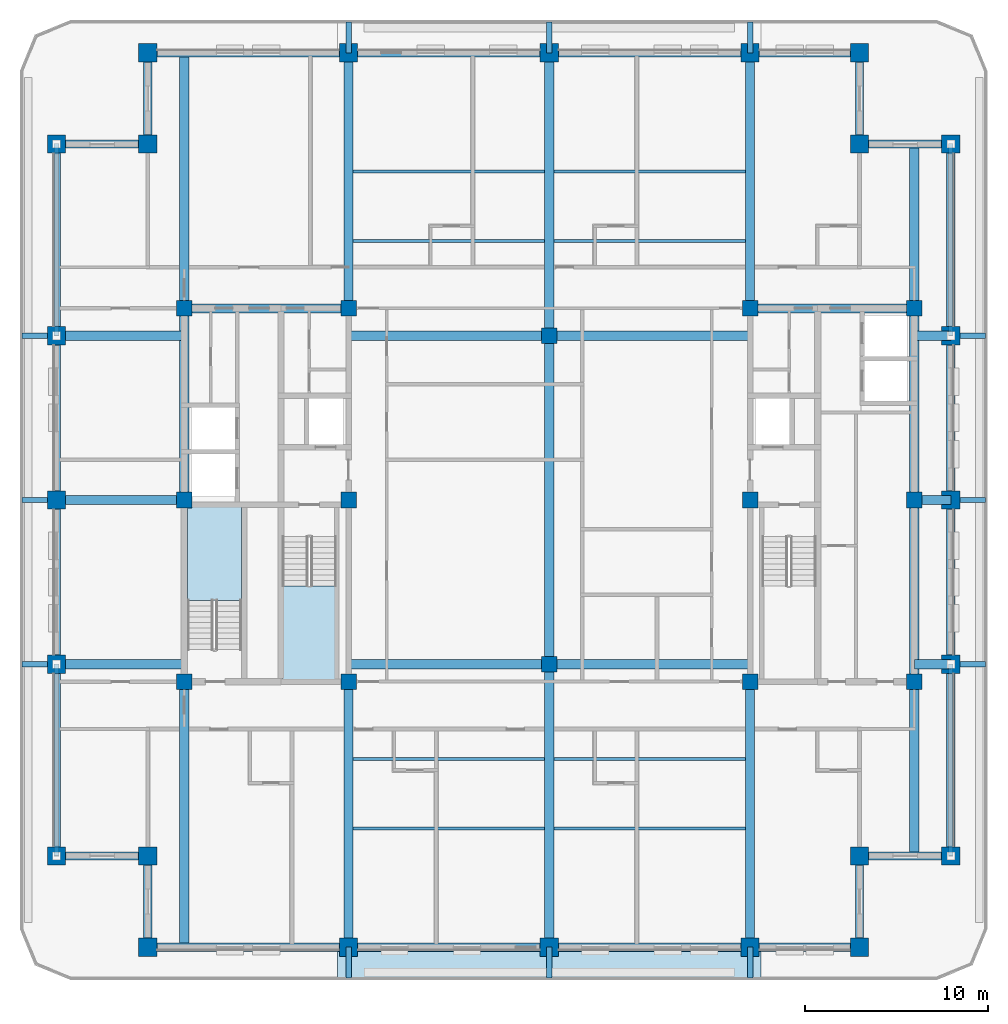
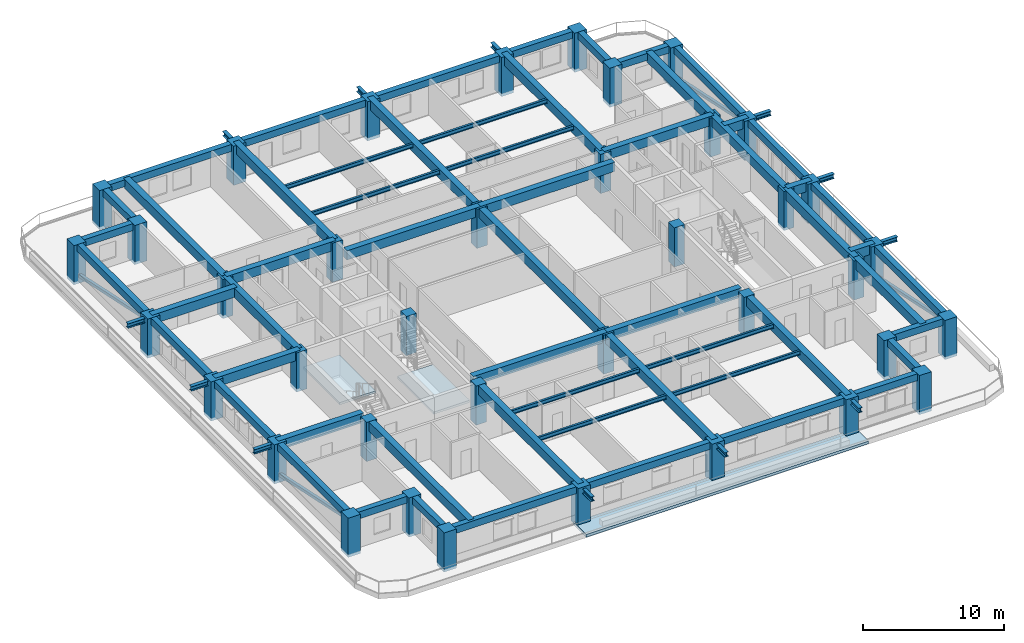
# One storey, part 1 of 14: 70 beams, 38 columns, 4 members, 3 slabs, 2 elements without a shape of their own.
"""IFC4 building model written with IfcOpenShell, lengths in metres."""

from ifc_helpers import new_model, si_unit, direction, frame, origin, origin_2d, place, context, subcontext, project, spatial, polyline, rectangle, hollow_rectangle, i_section, outline, extrude, material, layer, layer_set, material_profile, profile_set, type_object, element, aggregate, save


model = new_model("IFC4")

# Units and contexts
model_context = context("Model", 3, precision=1e-05, world=origin(), true_north=direction((0.0, 1.0)))
body_context = subcontext(model_context, "Body", "Model", "MODEL_VIEW")
ifc_project = project(units=[si_unit("LENGTHUNIT", "METRE"), si_unit("AREAUNIT", "SQUARE_METRE"), si_unit("VOLUMEUNIT", "CUBIC_METRE"), si_unit("PLANEANGLEUNIT", "RADIAN"), si_unit("MASSUNIT", "GRAM", prefix="KILO")], contexts=[model_context])

# Site, building, storey
site_placement = place(None, origin())
site = spatial("IfcSite", under=ifc_project, at=site_placement, CompositionType="ELEMENT")
building_placement = place(site_placement, origin())
building = spatial("IfcBuilding", under=site, at=building_placement, Name="Zulmaris Gate Convention Tower", CompositionType="ELEMENT")
storey_placement = place(building_placement, frame((0.0, 0.0, 205.06005859375)))
storey = spatial("IfcBuildingStorey", under=building, at=storey_placement, Name="L53", CompositionType="ELEMENT", Elevation=205.06005859375)

# Columns
ifc_material_1 = material(Name="Concrete C60/75", Category="concrete")
ifc_material_profile_1 = material_profile(ifc_material_1, rectangle(XDim=1.0, YDim=1.0, at=origin_2d()), Name="RC COL 1000x1000")
ifc_profile_set_1 = profile_set([ifc_material_profile_1], Name="Concrete C60/75")
column_type_1 = type_object("IfcColumnType", Name="COL-RC1000", PredefinedType="COLUMN", material=ifc_profile_set_1)
for number, where, z_axis, x_axis, name in (
    (1, (-22.0, -24.5, -0.25), (0.0, 0.0, 1.0), (1.0, 0.0, 0.0), "L53 Column PT--22.00_-24.50"),
    (2, (-11.0, -24.5, -0.25), (0.0, 0.0, 1.0), (1.0, 0.0, 0.0), "L53 Column PT--11.00_-24.50"),
    (3, (0.0, -24.5, -0.25), (0.0, 0.0, 1.0), (1.0, 0.0, 0.0), "L53 Column PT-+0.00_-24.50"),
    (4, (11.0, -24.5, -0.25), (0.0, 0.0, 1.0), (1.0, 0.0, 0.0), "L53 Column PT-+11.00_-24.50"),
    (5, (17.0, -24.5, -0.25), (0.0, 0.0, 1.0), (1.0, 0.0, 0.0), "L53 Column PT-+17.00_-24.50"),
    (6, (-22.0, 24.5, -0.25), (0.0, 0.0, 1.0), (1.0, 0.0, 0.0), "L53 Column PT--22.00_+24.50"),
    (7, (-11.0, 24.5, -0.25), (0.0, 0.0, 1.0), (1.0, 0.0, 0.0), "L53 Column PT--11.00_+24.50"),
    (8, (0.0, 24.5, -0.25), (0.0, 0.0, 1.0), (1.0, 0.0, 0.0), "L53 Column PT-+0.00_+24.50"),
    (9, (11.0, 24.5, -0.25), (0.0, 0.0, 1.0), (1.0, 0.0, 0.0), "L53 Column PT-+11.00_+24.50"),
    (10, (17.0, 24.5, -0.25), (0.0, 0.0, 1.0), (1.0, 0.0, 0.0), "L53 Column PT-+17.00_+24.50"),
    (11, (-27.0, -19.5, -0.25), (0.0, 0.0, 1.0), (1.0, 0.0, 0.0), "L53 Column PT--27.00_-19.50"),
    (12, (-27.0, -9.0, -0.25), (0.0, 0.0, 1.0), (1.0, 0.0, 0.0), "L53 Column PT--27.00_-9.00"),
    (13, (-27.0, 0.0, -0.25), (0.0, 0.0, 1.0), (1.0, 0.0, 0.0), "L53 Column PT--27.00_+0.00"),
    (14, (-27.0, 9.0, -0.25), (0.0, 0.0, 1.0), (1.0, 0.0, 0.0), "L53 Column PT--27.00_+9.00"),
    (15, (-27.0, 19.5, -0.25), (0.0, 0.0, 1.0), (1.0, 0.0, 0.0), "L53 Column PT--27.00_+19.50"),
    (16, (22.0, -19.5, -0.25), (0.0, 0.0, 1.0), (1.0, 0.0, 0.0), "L53 Column PT-+22.00_-19.50"),
    (17, (22.0, -9.0, -0.25), (0.0, 0.0, 1.0), (1.0, 0.0, 0.0), "L53 Column PT-+22.00_-9.00"),
    (18, (22.0, 0.0, -0.25), (0.0, 0.0, 1.0), (1.0, 0.0, 0.0), "L53 Column PT-+22.00_+0.00"),
    (19, (22.0, 9.0, -0.25), (0.0, 0.0, 1.0), (1.0, 0.0, 0.0), "L53 Column PT-+22.00_+9.00"),
    (20, (22.0, 19.5, -0.25), (0.0, 0.0, 1.0), (1.0, 0.0, 0.0), "L53 Column PT-+22.00_+19.50"),
    (21, (-22.0, -19.5, -0.25), (0.0, 0.0, 1.0), (1.0, 0.0, 0.0), "L53 Column PT--22.00_-19.50"),
    (22, (17.0, -19.5, -0.25), (0.0, 0.0, 1.0), (1.0, 0.0, 0.0), "L53 Column PT-+17.00_-19.50"),
    (23, (17.0, 19.5, -0.25), (0.0, 0.0, 1.0), (1.0, 0.0, 0.0), "L53 Column PT-+17.00_+19.50"),
    (24, (-22.0, 19.5, -0.25), (0.0, 0.0, 1.0), (1.0, 0.0, 0.0), "L53 Column PT--22.00_+19.50"),
):
    element("IfcColumn", number, at=place(storey_placement, frame(where, z_axis=z_axis, x_axis=x_axis)), inside=storey, type_object=column_type_1, Name=name, PredefinedType="COLUMN", context=body_context, shape_type="SweptSolid", body=[
        extrude(rectangle(XDim=1.0, YDim=1.0, at=origin_2d()), origin(), (0.0, 0.0, 1.0), 3.39990234375),
    ])
ifc_material_profile_2 = material_profile(ifc_material_1, rectangle(XDim=0.85009765625, YDim=0.85009765625, at=origin_2d()), Name="RC COL 850x850")
ifc_profile_set_2 = profile_set([ifc_material_profile_2], Name="Concrete C60/75")
column_type_2 = type_object("IfcColumnType", Name="COL-RC850", PredefinedType="COLUMN", material=ifc_profile_set_2)
for number, where, z_axis, x_axis, name in (
    (25, (-20.0, -9.949951171875, -0.25), (0.0, 0.0, 1.0), (1.0, 0.0, 0.0), "L53 Column IN--20.00_-9.95"),
    (26, (-20.0, 10.5, -0.25), (0.0, 0.0, 1.0), (1.0, 0.0, 0.0), "L53 Column IN--20.00_+10.50"),
    (27, (-11.0, -9.949951171875, -0.25), (0.0, 0.0, 1.0), (1.0, 0.0, 0.0), "L53 Column IN--11.00_-9.95"),
    (28, (-11.0, 0.0, -0.25), (0.0, 0.0, 1.0), (1.0, 0.0, 0.0), "L53 Column IN--11.00_+0.00"),
    (29, (-11.0, 10.5, -0.25), (0.0, 0.0, 1.0), (1.0, 0.0, 0.0), "L53 Column IN--11.00_+10.50"),
    (30, (11.0, -9.949951171875, -0.25), (0.0, 0.0, 1.0), (1.0, 0.0, 0.0), "L53 Column IN-+11.00_-9.95"),
    (31, (11.0, 0.0, -0.25), (0.0, 0.0, 1.0), (1.0, 0.0, 0.0), "L53 Column IN-+11.00_+0.00"),
    (32, (11.0, 10.5, -0.25), (0.0, 0.0, 1.0), (1.0, 0.0, 0.0), "L53 Column IN-+11.00_+10.50"),
    (33, (20.0, -9.949951171875, -0.25), (0.0, 0.0, 1.0), (1.0, 0.0, 0.0), "L53 Column IN-+20.00_-9.95"),
    (34, (20.0, 10.5, -0.25), (0.0, 0.0, 1.0), (1.0, 0.0, 0.0), "L53 Column IN-+20.00_+10.50"),
    (35, (0.0, -9.0, -0.25), (0.0, 0.0, 1.0), (1.0, 0.0, 0.0), "L53 Column IN-+0.00_-9.00"),
    (36, (0.0, 9.0, -0.25), (0.0, 0.0, 1.0), (1.0, 0.0, 0.0), "L53 Column IN-+0.00_+9.00"),
    (37, (-20.0, 0.0, -0.25), (0.0, 0.0, 1.0), (1.0, 0.0, 0.0), "L53 Column IN--20.00_+0.00"),
    (38, (20.0, 0.0, -0.25), (0.0, 0.0, 1.0), (1.0, 0.0, 0.0), "L53 Column IN-+20.00_+0.00"),
):
    element("IfcColumn", number, at=place(storey_placement, frame(where, z_axis=z_axis, x_axis=x_axis)), inside=storey, type_object=column_type_2, Name=name, PredefinedType="COLUMN", context=body_context, shape_type="SweptSolid", body=[
        extrude(rectangle(XDim=0.85009765625, YDim=0.85009765625, at=origin_2d()), origin(), (0.0, 0.0, 1.0), 3.39990234375),
    ])

# Beams
ifc_material_2 = material(Name="Steel S355", Category="steel")
ifc_material_profile_3 = material_profile(ifc_material_2, i_section(OverallWidth=0.300048828125, OverallDepth=0.39990234375, WebThickness=0.013427734375, FlangeThickness=0.02392578125, FilletRadius=0.027099609375, at=origin_2d()), Name="HEB 400")
ifc_profile_set_3 = profile_set([ifc_material_profile_3], Name="Steel S355")
beam_type_1 = type_object("IfcBeamType", Name="BM-HEB400", PredefinedType="BEAM", material=ifc_profile_set_3)
for number, where, z_axis, x_axis, name in (
    (39, (-11.0, -26.199951171875, 2.81005859375), (0.0, 1.0, 0.0), (-1.0, 0.0, 0.0), "L53 Beam TBRK-L53-S--11"),
    (40, (-11.0, 24.5, 2.81005859375), (0.0, 1.0, 0.0), (-1.0, 0.0, 0.0), "L53 Beam TBRK-L53-N--11"),
    (41, (0.0, -26.199951171875, 2.81005859375), (0.0, 1.0, 0.0), (-1.0, 0.0, 0.0), "L53 Beam TBRK-L53-S-+0"),
    (42, (0.0, 24.5, 2.81005859375), (0.0, 1.0, 0.0), (-1.0, 0.0, 0.0), "L53 Beam TBRK-L53-N-+0"),
    (43, (11.0, -26.199951171875, 2.81005859375), (0.0, 1.0, 0.0), (-1.0, 0.0, 0.0), "L53 Beam TBRK-L53-S-+11"),
    (44, (11.0, 24.5, 2.81005859375), (0.0, 1.0, 0.0), (-1.0, 0.0, 0.0), "L53 Beam TBRK-L53-N-+11"),
):
    element("IfcBeam", number, at=place(storey_placement, frame(where, z_axis=z_axis, x_axis=x_axis)), inside=storey, type_object=beam_type_1, Name=name, PredefinedType="BEAM", context=body_context, shape_type="SweptSolid", body=[
        extrude(i_section(OverallWidth=0.300048828125, OverallDepth=0.39990234375, WebThickness=0.013427734375, FlangeThickness=0.02392578125, FilletRadius=0.027099609375, at=origin_2d()), origin(), (0.0, 0.0, 1.0), 1.699951171875),
    ])
for number, where, z_axis, x_axis, name in (
    (45, (-28.89990234375, -9.0, 2.81005859375), (1.0, 0.0, 0.0), (0.0, 1.0, 0.0), "L53 Beam TBRK-L53-W--9"),
    (46, (22.0, -9.0, 2.81005859375), (1.0, 0.0, 0.0), (0.0, 1.0, 0.0), "L53 Beam TBRK-L53-E--9"),
    (47, (-28.89990234375, 0.0, 2.81005859375), (1.0, 0.0, 0.0), (0.0, 1.0, 0.0), "L53 Beam TBRK-L53-W-+0"),
    (48, (22.0, 0.0, 2.81005859375), (1.0, 0.0, 0.0), (0.0, 1.0, 0.0), "L53 Beam TBRK-L53-E-+0"),
    (49, (-28.89990234375, 9.0, 2.81005859375), (1.0, 0.0, 0.0), (0.0, 1.0, 0.0), "L53 Beam TBRK-L53-W-+9"),
    (50, (22.0, 9.0, 2.81005859375), (1.0, 0.0, 0.0), (0.0, 1.0, 0.0), "L53 Beam TBRK-L53-E-+9"),
):
    element("IfcBeam", number, at=place(storey_placement, frame(where, z_axis=z_axis, x_axis=x_axis)), inside=storey, type_object=beam_type_1, Name=name, PredefinedType="BEAM", context=body_context, shape_type="SweptSolid", body=[
        extrude(i_section(OverallWidth=0.300048828125, OverallDepth=0.39990234375, WebThickness=0.013427734375, FlangeThickness=0.02392578125, FilletRadius=0.027099609375, at=origin_2d()), origin(), (0.0, 0.0, 1.0), 1.89990234375),
    ])
ifc_material_3 = material(Name="Concrete C50/60", Category="concrete")
ifc_material_profile_4 = material_profile(ifc_material_3, rectangle(XDim=0.5, YDim=0.800048828125, at=origin_2d()), Name="RC BEAM 500x800")
ifc_profile_set_4 = profile_set([ifc_material_profile_4], Name="Concrete C50/60")
beam_type_2 = type_object("IfcBeamType", Name="BM-RC500x800", PredefinedType="BEAM", material=ifc_profile_set_4)
for number, where, z_axis, x_axis, name in (
    (51, (-11.0, -9.0, 2.75), (1.0, 0.0, 0.0), (0.0, 1.0, 0.0), "L53 Beam BM-L53-G01"),
    (52, (0.0, -9.0, 2.75), (1.0, 0.0, 0.0), (0.0, 1.0, 0.0), "L53 Beam BM-L53-G02"),
    (53, (-11.0, 9.0, 2.75), (1.0, 0.0, 0.0), (0.0, 1.0, 0.0), "L53 Beam BM-L53-G03"),
    (54, (0.0, 9.0, 2.75), (1.0, 0.0, 0.0), (0.0, 1.0, 0.0), "L53 Beam BM-L53-G04"),
):
    element("IfcBeam", number, at=place(storey_placement, frame(where, z_axis=z_axis, x_axis=x_axis)), inside=storey, type_object=beam_type_2, Name=name, PredefinedType="BEAM", context=body_context, shape_type="SweptSolid", body=[
        extrude(rectangle(XDim=0.5, YDim=0.800048828125, at=origin_2d()), origin(), (0.0, 0.0, 1.0), 11.0),
    ])
beam_1_placement = place(storey_placement, frame((0.0, -24.5, 2.75), z_axis=(0.0, 1.0, 0.0), x_axis=(-1.0, 0.0, 0.0)))
element("IfcBeam", 55, at=beam_1_placement, inside=storey, type_object=beam_type_2, Name="L53 Beam BM-L53-G05", PredefinedType="BEAM", context=body_context, shape_type="SweptSolid", body=[
    extrude(rectangle(XDim=0.5, YDim=0.800048828125, at=origin_2d()), origin(), (0.0, 0.0, 1.0), 15.5),
])
beam_2_placement = place(storey_placement, frame((0.0, -9.0, 2.75), z_axis=(0.0, 1.0, 0.0), x_axis=(-1.0, 0.0, 0.0)))
element("IfcBeam", 56, at=beam_2_placement, inside=storey, type_object=beam_type_2, Name="L53 Beam BM-L53-G06", PredefinedType="BEAM", context=body_context, shape_type="SweptSolid", body=[
    extrude(rectangle(XDim=0.5, YDim=0.800048828125, at=origin_2d()), origin(), (0.0, 0.0, 1.0), 18.0),
])
beam_3_placement = place(storey_placement, frame((0.0, 9.0, 2.75), z_axis=(0.0, 1.0, 0.0), x_axis=(-1.0, 0.0, 0.0)))
element("IfcBeam", 57, at=beam_3_placement, inside=storey, type_object=beam_type_2, Name="L53 Beam BM-L53-G07", PredefinedType="BEAM", context=body_context, shape_type="SweptSolid", body=[
    extrude(rectangle(XDim=0.5, YDim=0.800048828125, at=origin_2d()), origin(), (0.0, 0.0, 1.0), 15.5),
])
beam_4_placement = place(storey_placement, frame((-11.0, -24.5, 2.75), z_axis=(0.0, 1.0, 0.0), x_axis=(-1.0, 0.0, 0.0)))
element("IfcBeam", 58, at=beam_4_placement, inside=storey, type_object=beam_type_2, Name="L53 Beam BM-L53-G08", PredefinedType="BEAM", context=body_context, shape_type="SweptSolid", body=[
    extrude(rectangle(XDim=0.5, YDim=0.800048828125, at=origin_2d()), origin(), (0.0, 0.0, 1.0), 14.550048828125),
])
beam_5_placement = place(storey_placement, frame((-11.0, 10.5, 2.75), z_axis=(0.0, 1.0, 0.0), x_axis=(-1.0, 0.0, 0.0)))
element("IfcBeam", 59, at=beam_5_placement, inside=storey, type_object=beam_type_2, Name="L53 Beam BM-L53-G09", PredefinedType="BEAM", context=body_context, shape_type="SweptSolid", body=[
    extrude(rectangle(XDim=0.5, YDim=0.800048828125, at=origin_2d()), origin(), (0.0, 0.0, 1.0), 14.0),
])
beam_6_placement = place(storey_placement, frame((11.0, -24.5, 2.75), z_axis=(0.0, 1.0, 0.0), x_axis=(-1.0, 0.0, 0.0)))
element("IfcBeam", 60, at=beam_6_placement, inside=storey, type_object=beam_type_2, Name="L53 Beam BM-L53-G10", PredefinedType="BEAM", context=body_context, shape_type="SweptSolid", body=[
    extrude(rectangle(XDim=0.5, YDim=0.800048828125, at=origin_2d()), origin(), (0.0, 0.0, 1.0), 14.550048828125),
])
beam_7_placement = place(storey_placement, frame((11.0, 10.5, 2.75), z_axis=(0.0, 1.0, 0.0), x_axis=(-1.0, 0.0, 0.0)))
element("IfcBeam", 61, at=beam_7_placement, inside=storey, type_object=beam_type_2, Name="L53 Beam BM-L53-G11", PredefinedType="BEAM", context=body_context, shape_type="SweptSolid", body=[
    extrude(rectangle(XDim=0.5, YDim=0.800048828125, at=origin_2d()), origin(), (0.0, 0.0, 1.0), 14.0),
])
beam_8_placement = place(storey_placement, frame((-20.0, -24.5, 2.75), z_axis=(0.0, 1.0, 0.0), x_axis=(-1.0, 0.0, 0.0)))
element("IfcBeam", 62, at=beam_8_placement, inside=storey, type_object=beam_type_2, Name="L53 Beam BM-L53-G12", PredefinedType="BEAM", context=body_context, shape_type="SweptSolid", body=[
    extrude(rectangle(XDim=0.5, YDim=0.800048828125, at=origin_2d()), origin(), (0.0, 0.0, 1.0), 14.550048828125),
])
beam_9_placement = place(storey_placement, frame((-20.0, 10.5, 2.75), z_axis=(0.0, 1.0, 0.0), x_axis=(-1.0, 0.0, 0.0)))
element("IfcBeam", 63, at=beam_9_placement, inside=storey, type_object=beam_type_2, Name="L53 Beam BM-L53-G13", PredefinedType="BEAM", context=body_context, shape_type="SweptSolid", body=[
    extrude(rectangle(XDim=0.5, YDim=0.800048828125, at=origin_2d()), origin(), (0.0, 0.0, 1.0), 14.0),
])
beam_10_placement = place(storey_placement, frame((20.0, -19.5, 2.75), z_axis=(0.0, 1.0, 0.0), x_axis=(-1.0, 0.0, 0.0)))
element("IfcBeam", 64, at=beam_10_placement, inside=storey, type_object=beam_type_2, Name="L53 Beam BM-L53-G14", PredefinedType="BEAM", context=body_context, shape_type="SweptSolid", body=[
    extrude(rectangle(XDim=0.5, YDim=0.800048828125, at=origin_2d()), origin(), (0.0, 0.0, 1.0), 9.550048828125),
])
beam_11_placement = place(storey_placement, frame((20.0, 10.5, 2.75), z_axis=(0.0, 1.0, 0.0), x_axis=(-1.0, 0.0, 0.0)))
element("IfcBeam", 65, at=beam_11_placement, inside=storey, type_object=beam_type_2, Name="L53 Beam BM-L53-G15", PredefinedType="BEAM", context=body_context, shape_type="SweptSolid", body=[
    extrude(rectangle(XDim=0.5, YDim=0.800048828125, at=origin_2d()), origin(), (0.0, 0.0, 1.0), 9.0),
])
for number, where, z_axis, x_axis, name in (
    (66, (-27.0, -9.0, 2.75), (1.0, 0.0, 0.0), (0.0, 1.0, 0.0), "L53 Beam BM-L53-G16"),
    (67, (-27.0, 0.0, 2.75), (1.0, 0.0, 0.0), (0.0, 1.0, 0.0), "L53 Beam BM-L53-G17"),
    (68, (-27.0, 9.0, 2.75), (1.0, 0.0, 0.0), (0.0, 1.0, 0.0), "L53 Beam BM-L53-G18"),
):
    element("IfcBeam", number, at=place(storey_placement, frame(where, z_axis=z_axis, x_axis=x_axis)), inside=storey, type_object=beam_type_2, Name=name, PredefinedType="BEAM", context=body_context, shape_type="SweptSolid", body=[
        extrude(rectangle(XDim=0.5, YDim=0.800048828125, at=origin_2d()), origin(), (0.0, 0.0, 1.0), 7.0),
    ])
for number, where, z_axis, x_axis, name in (
    (69, (20.0, -9.0, 2.75), (1.0, 0.0, 0.0), (0.0, 1.0, 0.0), "L53 Beam BM-L53-G19"),
    (70, (20.0, 0.0, 2.75), (1.0, 0.0, 0.0), (0.0, 1.0, 0.0), "L53 Beam BM-L53-G20"),
    (71, (20.0, 9.0, 2.75), (1.0, 0.0, 0.0), (0.0, 1.0, 0.0), "L53 Beam BM-L53-G21"),
):
    element("IfcBeam", number, at=place(storey_placement, frame(where, z_axis=z_axis, x_axis=x_axis)), inside=storey, type_object=beam_type_2, Name=name, PredefinedType="BEAM", context=body_context, shape_type="SweptSolid", body=[
        extrude(rectangle(XDim=0.5, YDim=0.800048828125, at=origin_2d()), origin(), (0.0, 0.0, 1.0), 2.0),
    ])
for number, where, z_axis, x_axis, name in (
    (72, (-20.0, 10.5, 2.75), (1.0, 0.0, 0.0), (0.0, 1.0, 0.0), "L53 Beam BM-L53-G23"),
    (73, (11.0, 10.5, 2.75), (1.0, 0.0, 0.0), (0.0, 1.0, 0.0), "L53 Beam BM-L53-G25"),
):
    element("IfcBeam", number, at=place(storey_placement, frame(where, z_axis=z_axis, x_axis=x_axis)), inside=storey, type_object=beam_type_2, Name=name, PredefinedType="BEAM", context=body_context, shape_type="SweptSolid", body=[
        extrude(rectangle(XDim=0.5, YDim=0.800048828125, at=origin_2d()), origin(), (0.0, 0.0, 1.0), 9.0),
    ])
beam_12_placement = place(storey_placement, frame((-20.0, 0.0, 2.75), z_axis=(0.0, 1.0, 0.0), x_axis=(-1.0, 0.0, 0.0)))
element("IfcBeam", 74, at=beam_12_placement, inside=storey, type_object=beam_type_2, Name="L53 Beam BM-L53-G27", PredefinedType="BEAM", context=body_context, shape_type="SweptSolid", body=[
    extrude(rectangle(XDim=0.5, YDim=0.800048828125, at=origin_2d()), origin(), (0.0, 0.0, 1.0), 10.5),
])
beam_13_placement = place(storey_placement, frame((20.0, -9.949951171875, 2.75), z_axis=(0.0, 1.0, 0.0), x_axis=(-1.0, 0.0, 0.0)))
element("IfcBeam", 75, at=beam_13_placement, inside=storey, type_object=beam_type_2, Name="L53 Beam BM-L53-G28", PredefinedType="BEAM", context=body_context, shape_type="SweptSolid", body=[
    extrude(rectangle(XDim=0.5, YDim=0.800048828125, at=origin_2d()), origin(), (0.0, 0.0, 1.0), 9.949951171875),
])
beam_14_placement = place(storey_placement, frame((20.0, 0.0, 2.75), z_axis=(0.0, 1.0, 0.0), x_axis=(-1.0, 0.0, 0.0)))
element("IfcBeam", 76, at=beam_14_placement, inside=storey, type_object=beam_type_2, Name="L53 Beam BM-L53-G29", PredefinedType="BEAM", context=body_context, shape_type="SweptSolid", body=[
    extrude(rectangle(XDim=0.5, YDim=0.800048828125, at=origin_2d()), origin(), (0.0, 0.0, 1.0), 10.5),
])
ifc_material_4 = material(Name="Precast concrete C50/60", Category="concrete")
ifc_material_profile_5 = material_profile(ifc_material_4, rectangle(XDim=0.449951171875, YDim=0.60009765625, at=origin_2d()), Name="RC SPANDREL 450x600")
ifc_profile_set_5 = profile_set([ifc_material_profile_5], Name="Precast concrete C50/60")
beam_type_3 = type_object("IfcBeamType", Name="BM-SP450x600", PredefinedType="SPANDREL", material=ifc_profile_set_5)
for number, where, z_axis, x_axis, name in (
    (77, (-22.0, -24.5, 2.849853515625), (1.0, 0.0, 0.0), (0.0, 1.0, 0.0), "L53 Spandrel SP-L53-01"),
    (78, (-11.0, -24.5, 2.849853515625), (1.0, 0.0, 0.0), (0.0, 1.0, 0.0), "L53 Spandrel SP-L53-02"),
    (79, (0.0, -24.5, 2.849853515625), (1.0, 0.0, 0.0), (0.0, 1.0, 0.0), "L53 Spandrel SP-L53-03"),
):
    element("IfcBeam", number, at=place(storey_placement, frame(where, z_axis=z_axis, x_axis=x_axis)), inside=storey, type_object=beam_type_3, Name=name, PredefinedType="SPANDREL", context=body_context, shape_type="SweptSolid", body=[
        extrude(rectangle(XDim=0.449951171875, YDim=0.60009765625, at=origin_2d()), origin(), (0.0, 0.0, 1.0), 11.0),
    ])
beam_15_placement = place(storey_placement, frame((11.0, -24.5, 2.849853515625), z_axis=(1.0, 0.0, 0.0), x_axis=(0.0, 1.0, 0.0)))
element("IfcBeam", 80, at=beam_15_placement, inside=storey, type_object=beam_type_3, Name="L53 Spandrel SP-L53-04", PredefinedType="SPANDREL", context=body_context, shape_type="SweptSolid", body=[
    extrude(rectangle(XDim=0.449951171875, YDim=0.60009765625, at=origin_2d()), origin(), (0.0, 0.0, 1.0), 6.0),
])
for number, where, z_axis, x_axis, name in (
    (81, (17.0, -24.5, 2.849853515625), (0.0, 1.0, 0.0), (-1.0, 0.0, 0.0), "L53 Spandrel SP-L53-05"),
    (82, (17.0, -19.5, 2.849853515625), (1.0, 0.0, 0.0), (0.0, 1.0, 0.0), "L53 Spandrel SP-L53-06"),
):
    element("IfcBeam", number, at=place(storey_placement, frame(where, z_axis=z_axis, x_axis=x_axis)), inside=storey, type_object=beam_type_3, Name=name, PredefinedType="SPANDREL", context=body_context, shape_type="SweptSolid", body=[
        extrude(rectangle(XDim=0.449951171875, YDim=0.60009765625, at=origin_2d()), origin(), (0.0, 0.0, 1.0), 5.0),
    ])
beam_16_placement = place(storey_placement, frame((22.0, -19.5, 2.849853515625), z_axis=(0.0, 1.0, 0.0), x_axis=(-1.0, 0.0, 0.0)))
element("IfcBeam", 83, at=beam_16_placement, inside=storey, type_object=beam_type_3, Name="L53 Spandrel SP-L53-07", PredefinedType="SPANDREL", context=body_context, shape_type="SweptSolid", body=[
    extrude(rectangle(XDim=0.449951171875, YDim=0.60009765625, at=origin_2d()), origin(), (0.0, 0.0, 1.0), 10.5),
])
for number, where, z_axis, x_axis, name in (
    (84, (22.0, -9.0, 2.849853515625), (0.0, 1.0, 0.0), (-1.0, 0.0, 0.0), "L53 Spandrel SP-L53-08"),
    (85, (22.0, 0.0, 2.849853515625), (0.0, 1.0, 0.0), (-1.0, 0.0, 0.0), "L53 Spandrel SP-L53-09"),
):
    element("IfcBeam", number, at=place(storey_placement, frame(where, z_axis=z_axis, x_axis=x_axis)), inside=storey, type_object=beam_type_3, Name=name, PredefinedType="SPANDREL", context=body_context, shape_type="SweptSolid", body=[
        extrude(rectangle(XDim=0.449951171875, YDim=0.60009765625, at=origin_2d()), origin(), (0.0, 0.0, 1.0), 9.0),
    ])
beam_17_placement = place(storey_placement, frame((22.0, 9.0, 2.849853515625), z_axis=(0.0, 1.0, 0.0), x_axis=(-1.0, 0.0, 0.0)))
element("IfcBeam", 86, at=beam_17_placement, inside=storey, type_object=beam_type_3, Name="L53 Spandrel SP-L53-10", PredefinedType="SPANDREL", context=body_context, shape_type="SweptSolid", body=[
    extrude(rectangle(XDim=0.449951171875, YDim=0.60009765625, at=origin_2d()), origin(), (0.0, 0.0, 1.0), 10.5),
])
for number, where, z_axis, x_axis, name in (
    (87, (22.0, 19.5, 2.849853515625), (-1.0, 0.0, 0.0), (0.0, -1.0, 0.0), "L53 Spandrel SP-L53-11"),
    (88, (17.0, 19.5, 2.849853515625), (0.0, 1.0, 0.0), (-1.0, 0.0, 0.0), "L53 Spandrel SP-L53-12"),
):
    element("IfcBeam", number, at=place(storey_placement, frame(where, z_axis=z_axis, x_axis=x_axis)), inside=storey, type_object=beam_type_3, Name=name, PredefinedType="SPANDREL", context=body_context, shape_type="SweptSolid", body=[
        extrude(rectangle(XDim=0.449951171875, YDim=0.60009765625, at=origin_2d()), origin(), (0.0, 0.0, 1.0), 5.0),
    ])
beam_18_placement = place(storey_placement, frame((17.0, 24.5, 2.849853515625), z_axis=(-1.0, 0.0, 0.0), x_axis=(0.0, -1.0, 0.0)))
element("IfcBeam", 89, at=beam_18_placement, inside=storey, type_object=beam_type_3, Name="L53 Spandrel SP-L53-13", PredefinedType="SPANDREL", context=body_context, shape_type="SweptSolid", body=[
    extrude(rectangle(XDim=0.449951171875, YDim=0.60009765625, at=origin_2d()), origin(), (0.0, 0.0, 1.0), 6.0),
])
for number, where, z_axis, x_axis, name in (
    (90, (11.0, 24.5, 2.849853515625), (-1.0, 0.0, 0.0), (0.0, -1.0, 0.0), "L53 Spandrel SP-L53-14"),
    (91, (0.0, 24.5, 2.849853515625), (-1.0, 0.0, 0.0), (0.0, -1.0, 0.0), "L53 Spandrel SP-L53-15"),
    (92, (-11.0, 24.5, 2.849853515625), (-1.0, 0.0, 0.0), (0.0, -1.0, 0.0), "L53 Spandrel SP-L53-16"),
):
    element("IfcBeam", number, at=place(storey_placement, frame(where, z_axis=z_axis, x_axis=x_axis)), inside=storey, type_object=beam_type_3, Name=name, PredefinedType="SPANDREL", context=body_context, shape_type="SweptSolid", body=[
        extrude(rectangle(XDim=0.449951171875, YDim=0.60009765625, at=origin_2d()), origin(), (0.0, 0.0, 1.0), 11.0),
    ])
for number, where, z_axis, x_axis, name in (
    (93, (-22.0, 24.5, 2.849853515625), (0.0, -1.0, 0.0), (1.0, 0.0, 0.0), "L53 Spandrel SP-L53-17"),
    (94, (-22.0, 19.5, 2.849853515625), (-1.0, 0.0, 0.0), (0.0, -1.0, 0.0), "L53 Spandrel SP-L53-18"),
):
    element("IfcBeam", number, at=place(storey_placement, frame(where, z_axis=z_axis, x_axis=x_axis)), inside=storey, type_object=beam_type_3, Name=name, PredefinedType="SPANDREL", context=body_context, shape_type="SweptSolid", body=[
        extrude(rectangle(XDim=0.449951171875, YDim=0.60009765625, at=origin_2d()), origin(), (0.0, 0.0, 1.0), 5.0),
    ])
beam_19_placement = place(storey_placement, frame((-27.0, 19.5, 2.849853515625), z_axis=(0.0, -1.0, 0.0), x_axis=(1.0, 0.0, 0.0)))
element("IfcBeam", 95, at=beam_19_placement, inside=storey, type_object=beam_type_3, Name="L53 Spandrel SP-L53-19", PredefinedType="SPANDREL", context=body_context, shape_type="SweptSolid", body=[
    extrude(rectangle(XDim=0.449951171875, YDim=0.60009765625, at=origin_2d()), origin(), (0.0, 0.0, 1.0), 10.5),
])
for number, where, z_axis, x_axis, name in (
    (96, (-27.0, 9.0, 2.849853515625), (0.0, -1.0, 0.0), (1.0, 0.0, 0.0), "L53 Spandrel SP-L53-20"),
    (97, (-27.0, 0.0, 2.849853515625), (0.0, -1.0, 0.0), (1.0, 0.0, 0.0), "L53 Spandrel SP-L53-21"),
):
    element("IfcBeam", number, at=place(storey_placement, frame(where, z_axis=z_axis, x_axis=x_axis)), inside=storey, type_object=beam_type_3, Name=name, PredefinedType="SPANDREL", context=body_context, shape_type="SweptSolid", body=[
        extrude(rectangle(XDim=0.449951171875, YDim=0.60009765625, at=origin_2d()), origin(), (0.0, 0.0, 1.0), 9.0),
    ])
beam_20_placement = place(storey_placement, frame((-27.0, -9.0, 2.849853515625), z_axis=(0.0, -1.0, 0.0), x_axis=(1.0, 0.0, 0.0)))
element("IfcBeam", 98, at=beam_20_placement, inside=storey, type_object=beam_type_3, Name="L53 Spandrel SP-L53-22", PredefinedType="SPANDREL", context=body_context, shape_type="SweptSolid", body=[
    extrude(rectangle(XDim=0.449951171875, YDim=0.60009765625, at=origin_2d()), origin(), (0.0, 0.0, 1.0), 10.5),
])
for number, where, z_axis, x_axis, name in (
    (99, (-27.0, -19.5, 2.849853515625), (1.0, 0.0, 0.0), (0.0, 1.0, 0.0), "L53 Spandrel SP-L53-23"),
    (100, (-22.0, -19.5, 2.849853515625), (0.0, -1.0, 0.0), (1.0, 0.0, 0.0), "L53 Spandrel SP-L53-24"),
):
    element("IfcBeam", number, at=place(storey_placement, frame(where, z_axis=z_axis, x_axis=x_axis)), inside=storey, type_object=beam_type_3, Name=name, PredefinedType="SPANDREL", context=body_context, shape_type="SweptSolid", body=[
        extrude(rectangle(XDim=0.449951171875, YDim=0.60009765625, at=origin_2d()), origin(), (0.0, 0.0, 1.0), 5.0),
    ])

# Members
ifc_material_profile_6 = material_profile(ifc_material_2, hollow_rectangle(XDim=0.25, YDim=0.25, WallThickness=0.012451171875, at=origin_2d()), Name="SHS 250x250x12.5")
ifc_profile_set_6 = profile_set([ifc_material_profile_6], Name="Steel S355")
member_type = type_object("IfcMemberType", Name="BR-SHS250", PredefinedType="BRACE", material=ifc_profile_set_6)
for number, where, z_axis, x_axis, name in (
    (101, (-27.0, -9.0, 0.300048828125), (0.0, -0.978182890872, 0.20774559443), (1.0, 0.0, 0.0), "L53 Perimeter Tube Diagonal SW-W"),
    (102, (-27.0, 19.5, 0.300048828125), (0.0, -0.978182890872, 0.20774559443), (1.0, 0.0, 0.0), "L53 Perimeter Tube Diagonal NW-W"),
    (103, (22.0, -9.0, 0.300048828125), (0.0, -0.978182890872, 0.20774559443), (1.0, 0.0, 0.0), "L53 Perimeter Tube Diagonal SE-E"),
    (104, (22.0, 19.5, 0.300048828125), (0.0, -0.978182890872, 0.20774559443), (1.0, 0.0, 0.0), "L53 Perimeter Tube Diagonal NE-E"),
):
    element("IfcMember", number, at=place(storey_placement, frame(where, z_axis=z_axis, x_axis=x_axis)), inside=storey, type_object=member_type, Name=name, PredefinedType="BRACE", context=body_context, shape_type="SweptSolid", body=[
        extrude(hollow_rectangle(XDim=0.25, YDim=0.25, WallThickness=0.012451171875, at=origin_2d()), origin(), (0.0, 0.0, 1.0), 10.734130859375),
    ])

# Beams
ifc_material_profile_7 = material_profile(ifc_material_2, i_section(OverallWidth=0.169921875, OverallDepth=0.360107421875, WebThickness=0.008056640625, FlangeThickness=0.0126953125, FilletRadius=0.01806640625, at=origin_2d()), Name="IPE 360")
ifc_profile_set_7 = profile_set([ifc_material_profile_7], Name="Steel S355")
beam_type_4 = type_object("IfcBeamType", Name="JT-IPE360", PredefinedType="JOIST", material=ifc_profile_set_7)
for number, where, z_axis, x_axis, name in (
    (105, (-10.75, -18.0, 2.968017578125), (1.0, 0.0, 0.0), (0.0, 1.0, 0.0), "L53 Joist JT-L53-CW--18.0"),
    (106, (0.25, -18.0, 2.968017578125), (1.0, 0.0, 0.0), (0.0, 1.0, 0.0), "L53 Joist JT-L53-CE--18.0"),
    (107, (-10.75, -14.199951171875, 2.968017578125), (1.0, 0.0, 0.0), (0.0, 1.0, 0.0), "L53 Joist JT-L53-CW--14.2"),
    (108, (0.25, -14.199951171875, 2.968017578125), (1.0, 0.0, 0.0), (0.0, 1.0, 0.0), "L53 Joist JT-L53-CE--14.2"),
    (109, (-10.75, 14.199951171875, 2.968017578125), (1.0, 0.0, 0.0), (0.0, 1.0, 0.0), "L53 Joist JT-L53-CW-+14.2"),
    (110, (0.25, 14.199951171875, 2.968017578125), (1.0, 0.0, 0.0), (0.0, 1.0, 0.0), "L53 Joist JT-L53-CE-+14.2"),
    (111, (-10.75, 18.0, 2.968017578125), (1.0, 0.0, 0.0), (0.0, 1.0, 0.0), "L53 Joist JT-L53-CW-+18.0"),
    (112, (0.25, 18.0, 2.968017578125), (1.0, 0.0, 0.0), (0.0, 1.0, 0.0), "L53 Joist JT-L53-CE-+18.0"),
):
    element("IfcBeam", number, at=place(storey_placement, frame(where, z_axis=z_axis, x_axis=x_axis)), inside=storey, type_object=beam_type_4, Name=name, PredefinedType="JOIST", context=body_context, shape_type="SweptSolid", body=[
        extrude(i_section(OverallWidth=0.169921875, OverallDepth=0.360107421875, WebThickness=0.008056640625, FlangeThickness=0.0126953125, FilletRadius=0.01806640625, at=origin_2d()), origin(), (0.0, 0.0, 1.0), 10.5),
    ])

# Slab
ifc_layer_1 = layer(ifc_material_4, 0.239990234375, Name="Precast concrete C50/60")
ifc_layer_set_1 = layer_set([ifc_layer_1], Name="Precast concrete C50/60")
slab_type_1 = type_object("IfcSlabType", Name="SL-BAL-240", PredefinedType="FLOOR", material=ifc_layer_set_1)
slab_1_placement = place(storey_placement, frame((0.0, 0.0, -0.25)))
element("IfcSlab", 113, at=slab_1_placement, inside=storey, type_object=slab_type_1, Name="L53 South Tree-Balcony Planter Slab", PredefinedType="FLOOR", context=body_context, shape_type="SweptSolid", body=[
    extrude(outline(polyline([(-11.597900390625, -26.300048828125), (-11.597900390625, -24.5), (11.597900390625, -24.5), (11.597900390625, -26.300048828125), (-11.597900390625, -26.300048828125)])), origin(), (0.0, 0.0, 1.0), 0.239990234375),
])

# Stair, slab
ifc_material_5 = material(Name="Concrete C45/55", Category="concrete")
stair_type = type_object("IfcStairType", Name="ST-CORE-DOGLEG", PredefinedType="HALF_TURN_STAIR", material=ifc_material_5)
stair_1_placement = place(storey_placement, origin())
stair_1 = element("IfcStair", 114, at=stair_1_placement, inside=storey, type_object=stair_type, Name="L53 Core Exit Stair ST-1", PredefinedType="HALF_TURN_STAIR")
ifc_layer_2 = layer(ifc_material_5, 0.199951171875, Name="Concrete C45/55")
ifc_layer_set_2 = layer_set([ifc_layer_2], Name="Concrete C45/55")
slab_type_2 = type_object("IfcSlabType", Name="SL-LND-200", PredefinedType="LANDING", material=ifc_layer_set_2)
slab_2_placement = place(storey_placement, frame((0.0, 0.0, 1.5)))
slab_2 = element("IfcSlab", 115, at=slab_2_placement, type_object=slab_type_2, Name="ST-1 landing 1", PredefinedType="LANDING", context=body_context, shape_type="SweptSolid", body=[
    extrude(outline(polyline([(-14.6201171875, -4.699951171875), (-14.6201171875, -9.85009765625), (-11.659912109375, -9.85009765625), (-11.659912109375, -4.699951171875), (-14.6201171875, -4.699951171875)])), origin(), (0.0, 0.0, 1.0), 0.199951171875),
])
aggregate(stair_1, [slab_2])

stair_2_placement = place(storey_placement, origin())
stair_2 = element("IfcStair", 116, at=stair_2_placement, inside=storey, type_object=stair_type, Name="L53 Core Exit Stair ST-3", PredefinedType="HALF_TURN_STAIR")
slab_3_placement = place(storey_placement, frame((0.0, 0.0, 1.5)))
slab_3 = element("IfcSlab", 117, at=slab_3_placement, type_object=slab_type_2, Name="ST-3 landing 1", PredefinedType="LANDING", context=body_context, shape_type="SweptSolid", body=[
    extrude(outline(polyline([(-16.860107421875, -5.5), (-16.860107421875, -0.35009765625), (-19.820068359375, -0.35009765625), (-19.820068359375, -5.5), (-16.860107421875, -5.5)])), origin(), (0.0, 0.0, 1.0), 0.199951171875),
])
aggregate(stair_2, [slab_3])

save(model, "model.ifc")
